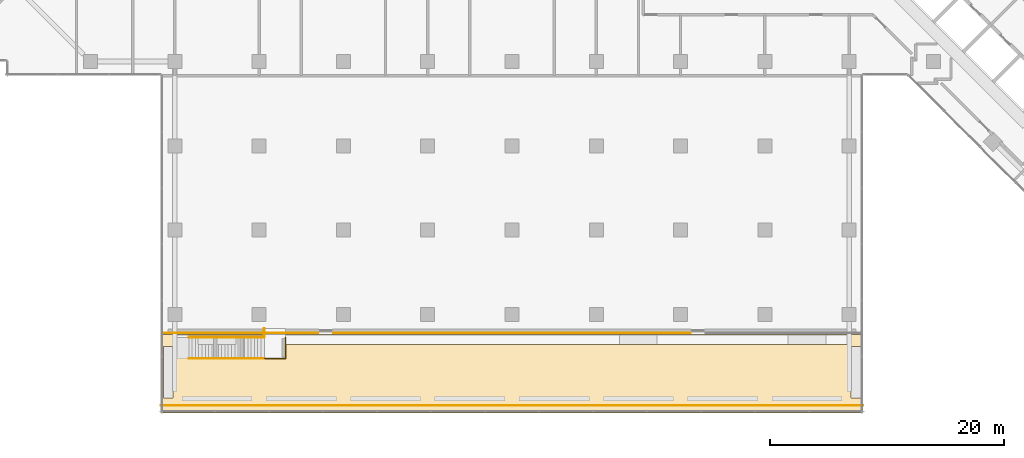
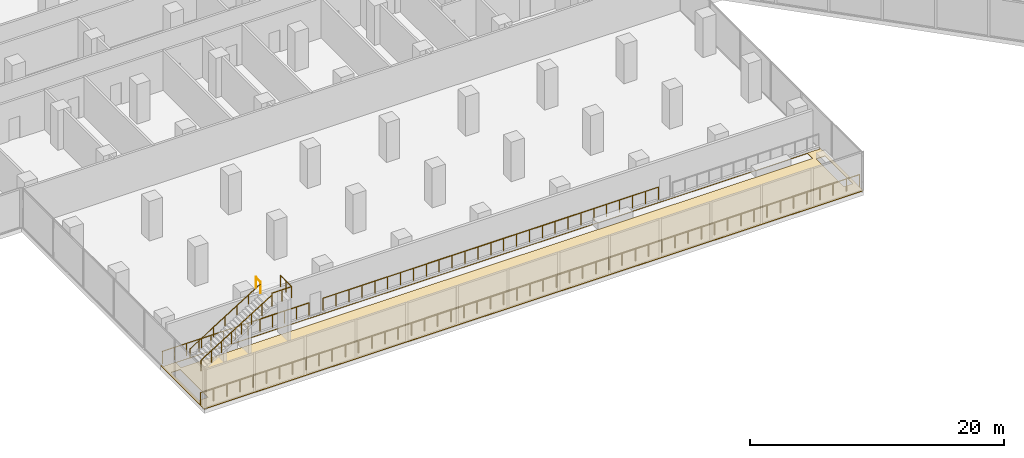
# One storey, part 25 of 27: 7 railings, 1 covering.
"""IFC4 building model written with IfcOpenShell, lengths in metres."""

import ifcopenshell
import ifcopenshell.guid

model = None  # the IFC model being written
_history = None  # IfcOwnerHistory: only IFC2X3 demands one
_inside = {}  # id of a spatial element -> (the spatial element, [elements in it])
_under = {}  # id of a project, library or spatial element -> (it, [spatial elements below it])
_declared = {}  # id of a project -> (the project, [libraries it declares])
_typed = {}  # id of a type object -> (the type object, [elements of that type])
_made_of = {}  # id of a material, layer set ... -> (it, [elements and type objects made of it])


def new_model(schema):
    """Start an empty IFC model of exactly this schema.

    Asked for "IFC4X3", IfcOpenShell would pick the latest addendum, in which some entities
    have other attributes; the version numbers below select the first issue.
    IFC2X3 requires an IfcOwnerHistory on every rooted entity: one is made here for all.
    """
    global model, _history
    if schema == "IFC4X3":
        model = ifcopenshell.file(schema_version=(4, 3, 0, 0))
    else:
        model = ifcopenshell.file(schema=schema)
    _inside.clear()
    _under.clear()
    _declared.clear()
    _typed.clear()
    _made_of.clear()
    _history = None
    if model.schema == "IFC2X3":
        org = make("IfcOrganization", Name="unknown")
        user = make(
            "IfcPersonAndOrganization",
            ThePerson=make("IfcPerson", FamilyName="unknown"),
            TheOrganization=org,
        )
        app = make(
            "IfcApplication",
            ApplicationDeveloper=org,
            Version="unknown",
            ApplicationFullName="unknown",
            ApplicationIdentifier="unknown",
        )
        _history = make(
            "IfcOwnerHistory",
            OwningUser=user,
            OwningApplication=app,
            ChangeAction="ADDED",
            CreationDate=0,
        )
    return model


def make(cls, **values):
    """One entity of the class cls with the attributes given. An attribute that is None is left unset."""
    return model.create_entity(
        cls, **{name: value for name, value in values.items() if value is not None}
    )


def rooted(cls, **values):
    """An entity with a GlobalId (a new one), such as an element, a storey or a relation."""
    return make(cls, GlobalId=ifcopenshell.guid.new(), OwnerHistory=_history, **values)


def si_unit(unit_type, name, prefix=None):
    """IfcSIUnit, for example si_unit("LENGTHUNIT", "METRE", prefix="MILLI")."""
    return make("IfcSIUnit", UnitType=unit_type, Prefix=prefix, Name=name)


def assignment(units):
    """IfcUnitAssignment: the units of a project."""
    return None if units is None else make("IfcUnitAssignment", Units=units)


def point(xyz):
    """IfcCartesianPoint."""
    return None if xyz is None else make("IfcCartesianPoint", Coordinates=xyz)


def direction(xyz):
    """IfcDirection."""
    return None if xyz is None else make("IfcDirection", DirectionRatios=xyz)


def frame(location, z_axis=None, x_axis=None):
    """IfcAxis2Placement3D, a coordinate frame: its origin and axes. An axis left out is left unset."""
    return make(
        "IfcAxis2Placement3D",
        Location=point(location),
        Axis=direction(z_axis),
        RefDirection=direction(x_axis),
    )


def frame_2d(location, x_axis=None):
    """IfcAxis2Placement2D, a coordinate frame in the plane: its origin and x axis."""
    return make(
        "IfcAxis2Placement2D", Location=point(location), RefDirection=direction(x_axis)
    )


def origin():
    """The frame at (0, 0, 0) with its axes left unset."""
    return frame((0.0, 0.0, 0.0))


def origin_2d():
    """The frame at (0, 0) in the plane with its x axis left unset."""
    return frame_2d((0.0, 0.0))


def place(relative_to, where):
    """IfcLocalPlacement: puts the frame where relative to a parent placement (None: the world)."""
    return make(
        "IfcLocalPlacement", PlacementRelTo=relative_to, RelativePlacement=where
    )


def context(
    kind, dimensions, precision=None, world=None, true_north=None, identifier=None
):
    """IfcGeometricRepresentationContext, for example the 3D "Model" context."""
    return make(
        "IfcGeometricRepresentationContext",
        ContextIdentifier=identifier,
        ContextType=kind,
        CoordinateSpaceDimension=dimensions,
        Precision=precision,
        WorldCoordinateSystem=world,
        TrueNorth=true_north,
    )


def subcontext(parent, identifier, kind, view, scale=None):
    """IfcGeometricRepresentationSubContext, for example "Body" below "Model"."""
    return make(
        "IfcGeometricRepresentationSubContext",
        ContextIdentifier=identifier,
        ContextType=kind,
        ParentContext=parent,
        TargetScale=scale,
        TargetView=view,
    )


def project(units=None, contexts=None):
    """IfcProject with its units and contexts."""
    return rooted(
        "IfcProject",
        Name="project",
        RepresentationContexts=contexts,
        UnitsInContext=assignment(units),
    )


def spatial(cls, under=None, at=None, **own):
    """A site, building, storey or space (cls), placed at a placement, below another one or the project."""
    s = rooted(cls, ObjectPlacement=at, **own)
    if under is not None:
        _under.setdefault(under.id(), (under, []))[1].append(s)
    return s


def polyline(points):
    """IfcPolyline through the points."""
    return make("IfcPolyline", Points=[point(p) for p in points])


def profile(cls, at=None, kind="AREA", **sizes):
    """A parametric profile (cls). Its sizes go by their IFC names, for example OverallWidth=200.0."""
    return make(cls, ProfileType=kind, Position=at, **sizes)


def circle(**sizes):
    """IfcCircleProfileDef."""
    return profile("IfcCircleProfileDef", **sizes)


def outline(outer, holes=None, kind="AREA"):
    """IfcArbitraryClosedProfileDef: a profile drawn as a closed curve; with holes, ...WithVoids."""
    if holes is None:
        return make("IfcArbitraryClosedProfileDef", ProfileType=kind, OuterCurve=outer)
    return make(
        "IfcArbitraryProfileDefWithVoids",
        ProfileType=kind,
        OuterCurve=outer,
        InnerCurves=holes,
    )


def extrude(swept, where, along, depth):
    """IfcExtrudedAreaSolid: the profile swept, set in the frame where, extruded along a direction by depth."""
    return make(
        "IfcExtrudedAreaSolid",
        SweptArea=swept,
        Position=where,
        ExtrudedDirection=direction(along),
        Depth=depth,
    )


def shape(context_of_items, identifier, shape_type, items):
    """IfcShapeRepresentation: the items that make up one representation, for example the "Body"."""
    return make(
        "IfcShapeRepresentation",
        ContextOfItems=context_of_items,
        RepresentationIdentifier=identifier,
        RepresentationType=shape_type,
        Items=items,
    )


def material(Name=None, Category=None):
    """IfcMaterial."""
    return make("IfcMaterial", Name=Name, Category=Category)


def layer(
    of_material, thickness, ventilated=None, Name=None, Category=None, Priority=None
):
    """IfcMaterialLayer: one layer of a wall or slab, of a material (None: an air gap)."""
    return make(
        "IfcMaterialLayer",
        Material=of_material,
        LayerThickness=thickness,
        IsVentilated=ventilated,
        Name=Name,
        Category=Category,
        Priority=Priority,
    )


def layer_set(layers, Name=None):
    """IfcMaterialLayerSet."""
    return make("IfcMaterialLayerSet", MaterialLayers=layers, LayerSetName=Name)


def made_of(thing, what):
    """Note that an element or type object is made of a material, layer set ...; save() writes the relation."""
    if what is not None:
        _made_of.setdefault(what.id(), (what, []))[1].append(thing)
    return thing


def type_object(cls, material=None, **own):
    """A type object (cls), such as IfcWallType, which elements share."""
    return made_of(rooted(cls, **own), material)


def element(
    cls,
    number,
    at=None,
    inside=None,
    cuts=None,
    type_object=None,
    material=None,
    context=None,
    identifier="Body",
    shape_type=None,
    held_by="IfcProductDefinitionShape",
    body=None,
    shapes=None,
    **own,
):
    """One element of the class cls, such as IfcWall. Its Tag is "e" and its number.

    at: its placement. inside: the storey or other place that contains it. cuts: it is an
    opening in that element (IfcRelVoidsElement). A single representation is given by context,
    identifier, shape_type and body (its items); several are given by shapes. held_by: the class
    of the entity that holds the representations. save() writes the other relations.
    """
    e = rooted(cls, Tag="e%d" % number, ObjectPlacement=at, **own)
    if body is not None:
        shapes = [shape(context, identifier, shape_type, body)]
    if shapes is not None:
        e.Representation = make(held_by, Representations=shapes)
    if inside is not None:
        _inside.setdefault(inside.id(), (inside, []))[1].append(e)
    if cuts is not None:
        rooted(
            "IfcRelVoidsElement", RelatingBuildingElement=cuts, RelatedOpeningElement=e
        )
    if type_object is not None:
        _typed.setdefault(type_object.id(), (type_object, []))[1].append(e)
    return made_of(e, material)


def aggregate(whole, parts):
    """IfcRelAggregates: a whole, such as a stair, and the parts it consists of."""
    return rooted("IfcRelAggregates", RelatingObject=whole, RelatedObjects=parts)


def save(model, path):
    """Write the relations noted so far, then the file.

    IfcRelAggregates (storeys below a building ...), IfcRelContainedInSpatialStructure (elements
    in a storey), IfcRelDefinesByType, IfcRelAssociatesMaterial and IfcRelDeclares: one each for
    every whole, place, type object, material and project.
    """
    for whole, parts in _under.values():
        aggregate(whole, parts)
    for where, things in _inside.values():
        rooted(
            "IfcRelContainedInSpatialStructure",
            RelatedElements=things,
            RelatingStructure=where,
        )
    for kind, things in _typed.values():
        rooted("IfcRelDefinesByType", RelatedObjects=things, RelatingType=kind)
    for what, things in _made_of.values():
        rooted("IfcRelAssociatesMaterial", RelatedObjects=things, RelatingMaterial=what)
    for by, libraries in _declared.values():
        rooted("IfcRelDeclares", RelatingContext=by, RelatedDefinitions=libraries)
    model.write(path)


model = new_model("IFC4")

# Units and contexts
model_context = context("Model", 3, precision=1e-05, world=origin(), true_north=direction((0.0, 1.0)))
body_context = subcontext(model_context, "Body", "Model", "MODEL_VIEW")
ifc_project = project(units=[si_unit("LENGTHUNIT", "METRE"), si_unit("AREAUNIT", "SQUARE_METRE"), si_unit("VOLUMEUNIT", "CUBIC_METRE"), si_unit("PLANEANGLEUNIT", "RADIAN"), si_unit("MASSUNIT", "GRAM", prefix="KILO")], contexts=[model_context])

# Site, building, storey
site_placement = place(None, origin())
site = spatial("IfcSite", under=ifc_project, at=site_placement, CompositionType="ELEMENT")
building_placement = place(site_placement, origin())
building = spatial("IfcBuilding", under=site, at=building_placement, Name="Windrow Commons", CompositionType="ELEMENT")
storey_placement = place(building_placement, frame((0.0, 0.0, 6.0)))
storey = spatial("IfcBuildingStorey", under=building, at=storey_placement, Name="L01", CompositionType="ELEMENT", Elevation=6.0)

# Railings
ifc_material_1 = material(Name="Stainless steel S316 balustrade with toughened glass infill", Category="steel")
railing_type_1 = type_object("IfcRailingType", Name="Terrace guard 1100", PredefinedType="BALUSTRADE", material=ifc_material_1)
railing_1_placement = place(storey_placement, frame((15.6, 17.85, 0.0)))
element("IfcRailing", 1, at=railing_1_placement, inside=storey, type_object=railing_type_1, Name="Public stair guard L01.1", PredefinedType="BALUSTRADE", context=body_context, shape_type="SweptSolid", body=[
    extrude(circle(Radius=0.025, at=origin_2d()), frame((0.0, 0.0, 1.075), z_axis=(0.847998304, 0.0, 0.52999894), x_axis=(0.0, 1.0, 0.0)), (0.0, 0.0, 1.0), 7.5944),
    extrude(circle(Radius=0.02, at=origin_2d()), origin(), (0.0, 0.0, 1.0), 1.05),
    extrude(circle(Radius=0.02, at=origin_2d()), frame((0.92, 0.0, 0.575)), (0.0, 0.0, 1.0), 1.05),
    extrude(circle(Radius=0.02, at=origin_2d()), frame((1.84, 0.0, 1.15)), (0.0, 0.0, 1.0), 1.05),
    extrude(circle(Radius=0.02, at=origin_2d()), frame((2.76, 0.0, 1.725)), (0.0, 0.0, 1.0), 1.05),
    extrude(circle(Radius=0.02, at=origin_2d()), frame((3.68, 0.0, 2.3)), (0.0, 0.0, 1.0), 1.05),
    extrude(circle(Radius=0.02, at=origin_2d()), frame((4.6, 0.0, 2.875)), (0.0, 0.0, 1.0), 1.05),
    extrude(circle(Radius=0.02, at=origin_2d()), frame((5.52, 0.0, 3.45)), (0.0, 0.0, 1.0), 1.05),
    extrude(circle(Radius=0.02, at=origin_2d()), frame((6.44, 0.0, 4.025)), (0.0, 0.0, 1.0), 1.05),
])
railing_2_placement = place(storey_placement, frame((22.04, 17.85, 4.2)))
element("IfcRailing", 2, at=railing_2_placement, inside=storey, type_object=railing_type_1, Name="Public stair guard L01.2", PredefinedType="BALUSTRADE", context=body_context, shape_type="SweptSolid", body=[
    extrude(circle(Radius=0.025, at=origin_2d()), frame((0.0, 0.0, 1.075), z_axis=(1.0, 0.0, 0.0), x_axis=(0.0, 1.0, 0.0)), (0.0, 0.0, 1.0), 1.8),
    extrude(circle(Radius=0.025, at=origin_2d()), frame((1.8, 0.0, 1.075), z_axis=(0.0, 1.0, 0.0), x_axis=(-1.0, 0.0, 0.0)), (0.0, 0.0, 1.0), 1.8),
    extrude(circle(Radius=0.02, at=origin_2d()), origin(), (0.0, 0.0, 1.0), 1.05),
    extrude(circle(Radius=0.02, at=origin_2d()), frame((0.9, 0.0, 0.0)), (0.0, 0.0, 1.0), 1.05),
    extrude(circle(Radius=0.02, at=origin_2d()), frame((1.8, 0.0, 0.0)), (0.0, 0.0, 1.0), 1.05),
    extrude(circle(Radius=0.02, at=origin_2d()), frame((1.8, 0.9, 0.0)), (0.0, 0.0, 1.0), 1.05),
    extrude(circle(Radius=0.02, at=origin_2d()), frame((1.8, 1.8, 0.0)), (0.0, 0.0, 1.0), 1.05),
])
railing_3_placement = place(storey_placement, frame((22.04, 19.65, 4.2)))
element("IfcRailing", 3, at=railing_3_placement, inside=storey, type_object=railing_type_1, Name="Public stair guard L01.3", PredefinedType="BALUSTRADE", context=body_context, shape_type="SweptSolid", body=[
    extrude(circle(Radius=0.025, at=origin_2d()), frame((0.0, 0.0, 1.075), z_axis=(0.0, 1.0, 0.0), x_axis=(-1.0, 0.0, 0.0)), (0.0, 0.0, 1.0), 0.75),
    extrude(circle(Radius=0.02, at=origin_2d()), origin(), (0.0, 0.0, 1.0), 1.05),
    extrude(circle(Radius=0.02, at=origin_2d()), frame((0.0, 0.75, 0.0)), (0.0, 0.0, 1.0), 1.05),
])
ifc_material_2 = material(Name="Stainless steel S316 balustrade with toughened glass infill", Category="steel")
railing_type_2 = type_object("IfcRailingType", Name="Terrace guard 1200 podium", PredefinedType="BALUSTRADE", material=ifc_material_2)
railing_4_placement = place(storey_placement, frame((13.2, 13.82, 0.05)))
element("IfcRailing", 4, at=railing_4_placement, inside=storey, type_object=railing_type_2, Name="Guard TR-L01-1.S4", PredefinedType="BALUSTRADE", context=body_context, shape_type="SweptSolid", body=[
    extrude(circle(Radius=0.025, at=origin_2d()), frame((0.0, 0.0, 1.175), z_axis=(1.0, 0.0, 0.0), x_axis=(0.0, 1.0, 0.0)), (0.0, 0.0, 1.0), 60.0),
    extrude(circle(Radius=0.02, at=origin_2d()), origin(), (0.0, 0.0, 1.0), 1.15),
    extrude(circle(Radius=0.02, at=origin_2d()), frame((1.2, 0.0, 0.0)), (0.0, 0.0, 1.0), 1.15),
    extrude(circle(Radius=0.02, at=origin_2d()), frame((2.4, 0.0, 0.0)), (0.0, 0.0, 1.0), 1.15),
    extrude(circle(Radius=0.02, at=origin_2d()), frame((3.6, 0.0, 0.0)), (0.0, 0.0, 1.0), 1.15),
    extrude(circle(Radius=0.02, at=origin_2d()), frame((4.8, 0.0, 0.0)), (0.0, 0.0, 1.0), 1.15),
    extrude(circle(Radius=0.02, at=origin_2d()), frame((6.0, 0.0, 0.0)), (0.0, 0.0, 1.0), 1.15),
    extrude(circle(Radius=0.02, at=origin_2d()), frame((7.2, 0.0, 0.0)), (0.0, 0.0, 1.0), 1.15),
    extrude(circle(Radius=0.02, at=origin_2d()), frame((8.4, 0.0, 0.0)), (0.0, 0.0, 1.0), 1.15),
    extrude(circle(Radius=0.02, at=origin_2d()), frame((9.6, 0.0, 0.0)), (0.0, 0.0, 1.0), 1.15),
    extrude(circle(Radius=0.02, at=origin_2d()), frame((10.8, 0.0, 0.0)), (0.0, 0.0, 1.0), 1.15),
    extrude(circle(Radius=0.02, at=origin_2d()), frame((12.0, 0.0, 0.0)), (0.0, 0.0, 1.0), 1.15),
    extrude(circle(Radius=0.02, at=origin_2d()), frame((13.2, 0.0, 0.0)), (0.0, 0.0, 1.0), 1.15),
    extrude(circle(Radius=0.02, at=origin_2d()), frame((14.4, 0.0, 0.0)), (0.0, 0.0, 1.0), 1.15),
    extrude(circle(Radius=0.02, at=origin_2d()), frame((15.6, 0.0, 0.0)), (0.0, 0.0, 1.0), 1.15),
    extrude(circle(Radius=0.02, at=origin_2d()), frame((16.8, 0.0, 0.0)), (0.0, 0.0, 1.0), 1.15),
    extrude(circle(Radius=0.02, at=origin_2d()), frame((18.0, 0.0, 0.0)), (0.0, 0.0, 1.0), 1.15),
    extrude(circle(Radius=0.02, at=origin_2d()), frame((19.2, 0.0, 0.0)), (0.0, 0.0, 1.0), 1.15),
    extrude(circle(Radius=0.02, at=origin_2d()), frame((20.4, 0.0, 0.0)), (0.0, 0.0, 1.0), 1.15),
    extrude(circle(Radius=0.02, at=origin_2d()), frame((21.6, 0.0, 0.0)), (0.0, 0.0, 1.0), 1.15),
    extrude(circle(Radius=0.02, at=origin_2d()), frame((22.8, 0.0, 0.0)), (0.0, 0.0, 1.0), 1.15),
    extrude(circle(Radius=0.02, at=origin_2d()), frame((24.0, 0.0, 0.0)), (0.0, 0.0, 1.0), 1.15),
    extrude(circle(Radius=0.02, at=origin_2d()), frame((25.2, 0.0, 0.0)), (0.0, 0.0, 1.0), 1.15),
    extrude(circle(Radius=0.02, at=origin_2d()), frame((26.4, 0.0, 0.0)), (0.0, 0.0, 1.0), 1.15),
    extrude(circle(Radius=0.02, at=origin_2d()), frame((27.6, 0.0, 0.0)), (0.0, 0.0, 1.0), 1.15),
    extrude(circle(Radius=0.02, at=origin_2d()), frame((28.8, 0.0, 0.0)), (0.0, 0.0, 1.0), 1.15),
    extrude(circle(Radius=0.02, at=origin_2d()), frame((30.0, 0.0, 0.0)), (0.0, 0.0, 1.0), 1.15),
    extrude(circle(Radius=0.02, at=origin_2d()), frame((31.2, 0.0, 0.0)), (0.0, 0.0, 1.0), 1.15),
    extrude(circle(Radius=0.02, at=origin_2d()), frame((32.4, 0.0, 0.0)), (0.0, 0.0, 1.0), 1.15),
    extrude(circle(Radius=0.02, at=origin_2d()), frame((33.6, 0.0, 0.0)), (0.0, 0.0, 1.0), 1.15),
    extrude(circle(Radius=0.02, at=origin_2d()), frame((34.8, 0.0, 0.0)), (0.0, 0.0, 1.0), 1.15),
    extrude(circle(Radius=0.02, at=origin_2d()), frame((36.0, 0.0, 0.0)), (0.0, 0.0, 1.0), 1.15),
    extrude(circle(Radius=0.02, at=origin_2d()), frame((37.2, 0.0, 0.0)), (0.0, 0.0, 1.0), 1.15),
    extrude(circle(Radius=0.02, at=origin_2d()), frame((38.4, 0.0, 0.0)), (0.0, 0.0, 1.0), 1.15),
    extrude(circle(Radius=0.02, at=origin_2d()), frame((39.6, 0.0, 0.0)), (0.0, 0.0, 1.0), 1.15),
    extrude(circle(Radius=0.02, at=origin_2d()), frame((40.8, 0.0, 0.0)), (0.0, 0.0, 1.0), 1.15),
    extrude(circle(Radius=0.02, at=origin_2d()), frame((42.0, 0.0, 0.0)), (0.0, 0.0, 1.0), 1.15),
    extrude(circle(Radius=0.02, at=origin_2d()), frame((43.2, 0.0, 0.0)), (0.0, 0.0, 1.0), 1.15),
    extrude(circle(Radius=0.02, at=origin_2d()), frame((44.4, 0.0, 0.0)), (0.0, 0.0, 1.0), 1.15),
    extrude(circle(Radius=0.02, at=origin_2d()), frame((45.6, 0.0, 0.0)), (0.0, 0.0, 1.0), 1.15),
    extrude(circle(Radius=0.02, at=origin_2d()), frame((46.8, 0.0, 0.0)), (0.0, 0.0, 1.0), 1.15),
    extrude(circle(Radius=0.02, at=origin_2d()), frame((48.0, 0.0, 0.0)), (0.0, 0.0, 1.0), 1.15),
    extrude(circle(Radius=0.02, at=origin_2d()), frame((49.2, 0.0, 0.0)), (0.0, 0.0, 1.0), 1.15),
    extrude(circle(Radius=0.02, at=origin_2d()), frame((50.4, 0.0, 0.0)), (0.0, 0.0, 1.0), 1.15),
    extrude(circle(Radius=0.02, at=origin_2d()), frame((51.6, 0.0, 0.0)), (0.0, 0.0, 1.0), 1.15),
    extrude(circle(Radius=0.02, at=origin_2d()), frame((52.8, 0.0, 0.0)), (0.0, 0.0, 1.0), 1.15),
    extrude(circle(Radius=0.02, at=origin_2d()), frame((54.0, 0.0, 0.0)), (0.0, 0.0, 1.0), 1.15),
    extrude(circle(Radius=0.02, at=origin_2d()), frame((55.2, 0.0, 0.0)), (0.0, 0.0, 1.0), 1.15),
    extrude(circle(Radius=0.02, at=origin_2d()), frame((56.4, 0.0, 0.0)), (0.0, 0.0, 1.0), 1.15),
    extrude(circle(Radius=0.02, at=origin_2d()), frame((57.6, 0.0, 0.0)), (0.0, 0.0, 1.0), 1.15),
    extrude(circle(Radius=0.02, at=origin_2d()), frame((58.8, 0.0, 0.0)), (0.0, 0.0, 1.0), 1.15),
    extrude(circle(Radius=0.02, at=origin_2d()), frame((60.0, 0.0, 0.0)), (0.0, 0.0, 1.0), 1.15),
])
railing_5_placement = place(storey_placement, frame((58.45, 20.0, 0.25)))
element("IfcRailing", 5, at=railing_5_placement, inside=storey, type_object=railing_type_2, Name="Guard TR-L01-1.1", PredefinedType="BALUSTRADE", context=body_context, shape_type="SweptSolid", body=[
    extrude(circle(Radius=0.025, at=origin_2d()), frame((0.0, 0.0, 1.175), z_axis=(-1.0, 0.0, 0.0), x_axis=(0.0, -1.0, 0.0)), (0.0, 0.0, 1.0), 30.5),
    extrude(circle(Radius=0.02, at=origin_2d()), origin(), (0.0, 0.0, 1.0), 1.15),
    extrude(circle(Radius=0.02, at=origin_2d()), frame((-1.1731, 0.0, 0.0)), (0.0, 0.0, 1.0), 1.15),
    extrude(circle(Radius=0.02, at=origin_2d()), frame((-2.3462, 0.0, 0.0)), (0.0, 0.0, 1.0), 1.15),
    extrude(circle(Radius=0.02, at=origin_2d()), frame((-3.5192, 0.0, 0.0)), (0.0, 0.0, 1.0), 1.15),
    extrude(circle(Radius=0.02, at=origin_2d()), frame((-4.6923, 0.0, 0.0)), (0.0, 0.0, 1.0), 1.15),
    extrude(circle(Radius=0.02, at=origin_2d()), frame((-5.8654, 0.0, 0.0)), (0.0, 0.0, 1.0), 1.15),
    extrude(circle(Radius=0.02, at=origin_2d()), frame((-7.0385, 0.0, 0.0)), (0.0, 0.0, 1.0), 1.15),
    extrude(circle(Radius=0.02, at=origin_2d()), frame((-8.2115, 0.0, 0.0)), (0.0, 0.0, 1.0), 1.15),
    extrude(circle(Radius=0.02, at=origin_2d()), frame((-9.3846, 0.0, 0.0)), (0.0, 0.0, 1.0), 1.15),
    extrude(circle(Radius=0.02, at=origin_2d()), frame((-10.5577, 0.0, 0.0)), (0.0, 0.0, 1.0), 1.15),
    extrude(circle(Radius=0.02, at=origin_2d()), frame((-11.7308, 0.0, 0.0)), (0.0, 0.0, 1.0), 1.15),
    extrude(circle(Radius=0.02, at=origin_2d()), frame((-12.9038, 0.0, 0.0)), (0.0, 0.0, 1.0), 1.15),
    extrude(circle(Radius=0.02, at=origin_2d()), frame((-14.0769, 0.0, 0.0)), (0.0, 0.0, 1.0), 1.15),
    extrude(circle(Radius=0.02, at=origin_2d()), frame((-15.25, 0.0, 0.0)), (0.0, 0.0, 1.0), 1.15),
    extrude(circle(Radius=0.02, at=origin_2d()), frame((-16.4231, 0.0, 0.0)), (0.0, 0.0, 1.0), 1.15),
    extrude(circle(Radius=0.02, at=origin_2d()), frame((-17.5962, 0.0, 0.0)), (0.0, 0.0, 1.0), 1.15),
    extrude(circle(Radius=0.02, at=origin_2d()), frame((-18.7692, 0.0, 0.0)), (0.0, 0.0, 1.0), 1.15),
    extrude(circle(Radius=0.02, at=origin_2d()), frame((-19.9423, 0.0, 0.0)), (0.0, 0.0, 1.0), 1.15),
    extrude(circle(Radius=0.02, at=origin_2d()), frame((-21.1154, 0.0, 0.0)), (0.0, 0.0, 1.0), 1.15),
    extrude(circle(Radius=0.02, at=origin_2d()), frame((-22.2885, 0.0, 0.0)), (0.0, 0.0, 1.0), 1.15),
    extrude(circle(Radius=0.02, at=origin_2d()), frame((-23.4615, 0.0, 0.0)), (0.0, 0.0, 1.0), 1.15),
    extrude(circle(Radius=0.02, at=origin_2d()), frame((-24.6346, 0.0, 0.0)), (0.0, 0.0, 1.0), 1.15),
    extrude(circle(Radius=0.02, at=origin_2d()), frame((-25.8077, 0.0, 0.0)), (0.0, 0.0, 1.0), 1.15),
    extrude(circle(Radius=0.02, at=origin_2d()), frame((-26.9808, 0.0, 0.0)), (0.0, 0.0, 1.0), 1.15),
    extrude(circle(Radius=0.02, at=origin_2d()), frame((-28.1538, 0.0, 0.0)), (0.0, 0.0, 1.0), 1.15),
    extrude(circle(Radius=0.02, at=origin_2d()), frame((-29.3269, 0.0, 0.0)), (0.0, 0.0, 1.0), 1.15),
    extrude(circle(Radius=0.02, at=origin_2d()), frame((-30.5, 0.0, 0.0)), (0.0, 0.0, 1.0), 1.15),
])
railing_6_placement = place(storey_placement, frame((26.65, 20.0, 0.25)))
element("IfcRailing", 6, at=railing_6_placement, inside=storey, type_object=railing_type_2, Name="Guard TR-L01-1.1", PredefinedType="BALUSTRADE", context=body_context, shape_type="SweptSolid", body=[
    extrude(circle(Radius=0.025, at=origin_2d()), frame((0.0, 0.0, 1.175), z_axis=(-1.0, 0.0, 0.0), x_axis=(0.0, -1.0, 0.0)), (0.0, 0.0, 1.0), 13.35),
    extrude(circle(Radius=0.02, at=origin_2d()), origin(), (0.0, 0.0, 1.0), 1.15),
    extrude(circle(Radius=0.02, at=origin_2d()), frame((-1.1125, 0.0, 0.0)), (0.0, 0.0, 1.0), 1.15),
    extrude(circle(Radius=0.02, at=origin_2d()), frame((-2.225, 0.0, 0.0)), (0.0, 0.0, 1.0), 1.15),
    extrude(circle(Radius=0.02, at=origin_2d()), frame((-3.3375, 0.0, 0.0)), (0.0, 0.0, 1.0), 1.15),
    extrude(circle(Radius=0.02, at=origin_2d()), frame((-4.45, 0.0, 0.0)), (0.0, 0.0, 1.0), 1.15),
    extrude(circle(Radius=0.02, at=origin_2d()), frame((-5.5625, 0.0, 0.0)), (0.0, 0.0, 1.0), 1.15),
    extrude(circle(Radius=0.02, at=origin_2d()), frame((-6.675, 0.0, 0.0)), (0.0, 0.0, 1.0), 1.15),
    extrude(circle(Radius=0.02, at=origin_2d()), frame((-7.7875, 0.0, 0.0)), (0.0, 0.0, 1.0), 1.15),
    extrude(circle(Radius=0.02, at=origin_2d()), frame((-8.9, 0.0, 0.0)), (0.0, 0.0, 1.0), 1.15),
    extrude(circle(Radius=0.02, at=origin_2d()), frame((-10.0125, 0.0, 0.0)), (0.0, 0.0, 1.0), 1.15),
    extrude(circle(Radius=0.02, at=origin_2d()), frame((-11.125, 0.0, 0.0)), (0.0, 0.0, 1.0), 1.15),
    extrude(circle(Radius=0.02, at=origin_2d()), frame((-12.2375, 0.0, 0.0)), (0.0, 0.0, 1.0), 1.15),
    extrude(circle(Radius=0.02, at=origin_2d()), frame((-13.35, 0.0, 0.0)), (0.0, 0.0, 1.0), 1.15),
])

# Covering
ifc_material_3 = material(Name="Granite pavers on waterproofing membrane", Category="masonry")
ifc_layer = layer(ifc_material_3, 0.05)
ifc_layer_set = layer_set([ifc_layer], Name="Terrace roofing 50")
covering_type = type_object("IfcCoveringType", Name="Terrace roofing 50", PredefinedType="ROOFING", material=ifc_layer_set)
covering_placement = place(storey_placement, origin())
element("IfcCovering", 7, at=covering_placement, inside=storey, type_object=covering_type, Name="Terrace roofing TR-L01-1", PredefinedType="ROOFING", context=body_context, shape_type="SweptSolid", body=[
    extrude(outline(polyline([(73.2, 20.1), (73.2, 13.2), (13.2, 13.2), (13.2, 20.1), (13.3, 20.1), (13.3, 19.89), (73.1, 19.89), (73.1, 20.1), (73.2, 20.1)]), holes=[polyline([(13.44, 14.45), (14.26, 14.45), (14.26, 18.85), (13.44, 18.85), (13.44, 14.45)]), polyline([(72.96, 14.45), (72.96, 18.85), (72.14, 18.85), (72.14, 14.45), (72.96, 14.45)]), polyline([(71.95, 19.86), (14.45, 19.86), (14.45, 19.04), (71.95, 19.04), (71.95, 19.86)])]), origin(), (0.0, 0.0, 1.0), 0.05),
])

# Railing
ifc_material_4 = material(Name="Stainless steel S316 handrail", Category="steel")
railing_type_3 = type_object("IfcRailingType", Name="Terrace stair handrail 900", PredefinedType="HANDRAIL", material=ifc_material_4)
railing_7_placement = place(storey_placement, frame((15.6, 19.65, 0.175)))
element("IfcRailing", 8, at=railing_7_placement, inside=storey, type_object=railing_type_3, Name="Public stair handrail L01.1", PredefinedType="HANDRAIL", context=body_context, shape_type="SweptSolid", body=[
    extrude(circle(Radius=0.025, at=origin_2d()), frame((0.0, 0.0, 0.875), z_axis=(0.847998304, 0.0, 0.52999894), x_axis=(0.0, 1.0, 0.0)), (0.0, 0.0, 1.0), 7.5944),
    extrude(circle(Radius=0.02, at=origin_2d()), origin(), (0.0, 0.0, 1.0), 0.85),
    extrude(circle(Radius=0.02, at=origin_2d()), frame((1.0733, 0.0, 0.6708)), (0.0, 0.0, 1.0), 0.85),
    extrude(circle(Radius=0.02, at=origin_2d()), frame((2.1467, 0.0, 1.3417)), (0.0, 0.0, 1.0), 0.85),
    extrude(circle(Radius=0.02, at=origin_2d()), frame((3.22, 0.0, 2.0125)), (0.0, 0.0, 1.0), 0.85),
    extrude(circle(Radius=0.02, at=origin_2d()), frame((4.2933, 0.0, 2.6833)), (0.0, 0.0, 1.0), 0.85),
    extrude(circle(Radius=0.02, at=origin_2d()), frame((5.3667, 0.0, 3.3542)), (0.0, 0.0, 1.0), 0.85),
    extrude(circle(Radius=0.02, at=origin_2d()), frame((6.44, 0.0, 4.025)), (0.0, 0.0, 1.0), 0.85),
])

save(model, "model.ifc")
